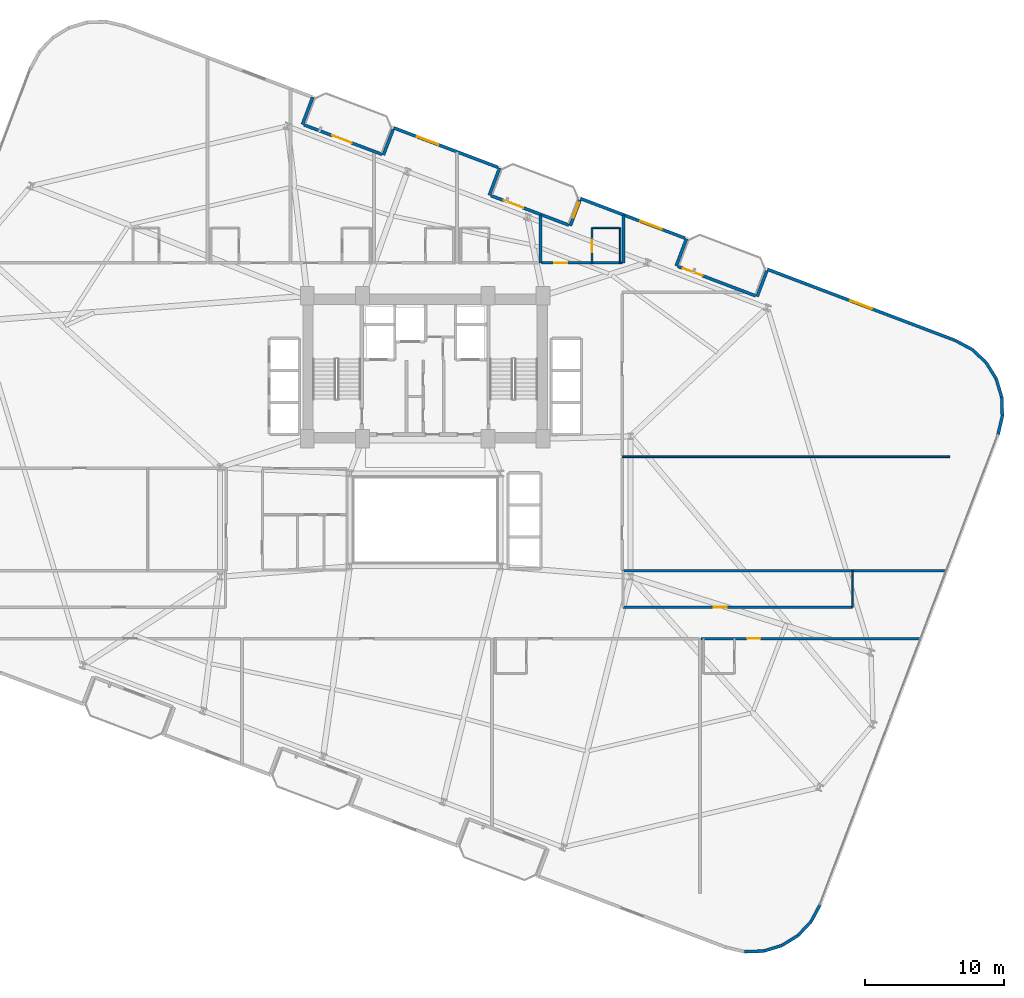
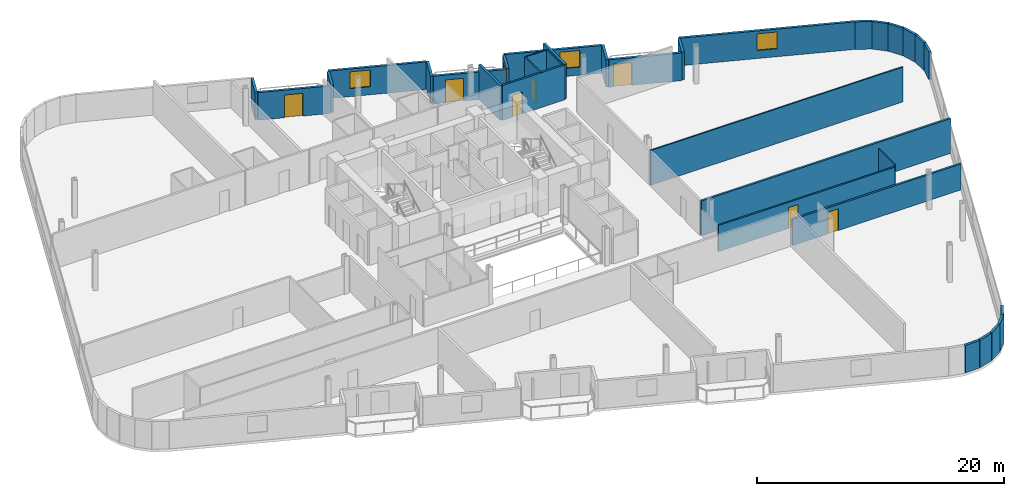
# One storey, part 20 of 24: 34 walls, 7 doors, 4 windows, 11 openings.
"""IFC4 building model written with IfcOpenShell, lengths in metres."""

from ifc_helpers import new_model, si_unit, direction, frame, frame_2d, origin, place, context, subcontext, project, spatial, rectangle, extrude, material, layer, layer_set, type_object, element, fill, save


model = new_model("IFC4")

# Units and contexts
model_context = context("Model", 3, precision=1e-05, world=origin(), true_north=direction((0.0, 1.0)))
body_context = subcontext(model_context, "Body", "Model", "MODEL_VIEW")
ifc_project = project(units=[si_unit("LENGTHUNIT", "METRE"), si_unit("AREAUNIT", "SQUARE_METRE"), si_unit("VOLUMEUNIT", "CUBIC_METRE"), si_unit("PLANEANGLEUNIT", "RADIAN"), si_unit("MASSUNIT", "GRAM", prefix="KILO")], contexts=[model_context])

# Site, building, storey
site_placement = place(None, origin())
site = spatial("IfcSite", under=ifc_project, at=site_placement, CompositionType="ELEMENT")
building_placement = place(site_placement, origin())
building = spatial("IfcBuilding", under=site, at=building_placement, Name="Varnelok Gate Tower", CompositionType="ELEMENT")
storey_placement = place(building_placement, frame((0.0, 0.0, 94.699951171875)))
storey = spatial("IfcBuildingStorey", under=building, at=storey_placement, Name="L23", CompositionType="ELEMENT", Elevation=94.699951171875)

# Wall, opening, door
ifc_material_1 = material(Name="Concrete C45/55", Category="concrete")
ifc_layer_1 = layer(ifc_material_1, 0.219970703125)
ifc_layer_set_1 = layer_set([ifc_layer_1], Name="Concrete C45/55")
wall_type_1 = type_object("IfcWallType", Name="EW-BALC-220", PredefinedType="SOLIDWALL", material=ifc_layer_set_1)
wall_1_placement = place(storey_placement, frame((30.465087890625, 51.37158203125, 0.0), z_axis=(0.0, 0.0, 1.0), x_axis=(0.935227640088, -0.354046976001, 0.0)))
wall_1 = element("IfcWall", 1, at=wall_1_placement, inside=storey, type_object=wall_type_1, Name="L23 North Terrace Envelope Wall 4", PredefinedType="SOLIDWALL", context=body_context, shape_type="SweptSolid", body=[
    extrude(rectangle(XDim=6.0, YDim=0.219970703125, at=frame_2d((3.0, 0.0))), origin(), (0.0, 0.0, 1.0), 2.72998046875),
])
opening_1_placement = place(wall_1_placement, frame((2.176025390625, 0.0, 0.0)))
opening_1 = element("IfcOpeningElement", 2, at=opening_1_placement, cuts=wall_1, Name="Opening BD-1", PredefinedType="OPENING", context=body_context, shape_type="SweptSolid", body=[
    extrude(rectangle(XDim=1.5, YDim=2.25, at=frame_2d((0.75, 1.125))), frame((0.0, 0.119873046875, 0.0), z_axis=(0.0, -1.0, 0.0), x_axis=(1.0, 0.0, 0.0)), (0.0, 0.0, 1.0), 0.239990234375),
])
ifc_material_2 = material(Name="Anodized Aluminum Alloy 6063-T6", Category="aluminium")
door_type_1 = type_object("IfcDoorType", Name="DR-EXT-BALC1500", OperationType="NOTDEFINED", PredefinedType="DOOR", material=ifc_material_2)
door_1_placement = place(opening_1_placement, origin())
door_1 = element("IfcDoor", 3, at=door_1_placement, inside=storey, type_object=door_type_1, Name="L23 North Balcony Glazed Door 4", OperationType="SINGLE_SWING_LEFT", OverallHeight=2.25, OverallWidth=1.5, PredefinedType="DOOR", context=body_context, shape_type="SweptSolid", body=[
    extrude(rectangle(XDim=1.5, YDim=2.25, at=frame_2d((0.75, 1.125))), frame((0.0, 0.02490234375, 0.0), z_axis=(0.0, -1.0, 0.0), x_axis=(1.0, 0.0, 0.0)), (0.0, 0.0, 1.0), 0.050048828125),
])
fill(opening_1, door_1)

wall_2_placement = place(storey_placement, frame((43.932373046875, 46.273193359375, 0.0), z_axis=(0.0, 0.0, 1.0), x_axis=(0.93521416643, -0.354082565101, 0.0)))
wall_2 = element("IfcWall", 4, at=wall_2_placement, inside=storey, type_object=wall_type_1, Name="L23 North Terrace Envelope Wall 5", PredefinedType="SOLIDWALL", context=body_context, shape_type="SweptSolid", body=[
    extrude(rectangle(XDim=6.0, YDim=0.219970703125, at=frame_2d((3.0, 0.0))), origin(), (0.0, 0.0, 1.0), 2.72998046875),
])
opening_2_placement = place(wall_2_placement, frame((0.991943359375, 0.0, 0.0)))
opening_2 = element("IfcOpeningElement", 5, at=opening_2_placement, cuts=wall_2, Name="Opening BD-1", PredefinedType="OPENING", context=body_context, shape_type="SweptSolid", body=[
    extrude(rectangle(XDim=1.5, YDim=2.25, at=frame_2d((0.75, 1.125))), frame((0.0, 0.119873046875, 0.0), z_axis=(0.0, -1.0, 0.0), x_axis=(1.0, 0.0, 0.0)), (0.0, 0.0, 1.0), 0.239990234375),
])
door_2_placement = place(opening_2_placement, origin())
door_2 = element("IfcDoor", 6, at=door_2_placement, inside=storey, type_object=door_type_1, Name="L23 North Balcony Glazed Door 5", OperationType="SINGLE_SWING_RIGHT", OverallHeight=2.25, OverallWidth=1.5, PredefinedType="DOOR", context=body_context, shape_type="SweptSolid", body=[
    extrude(rectangle(XDim=1.5, YDim=2.25, at=frame_2d((0.75, 1.125))), frame((0.0, 0.02490234375, 0.0), z_axis=(0.0, -1.0, 0.0), x_axis=(1.0, 0.0, 0.0)), (0.0, 0.0, 1.0), 0.050048828125),
])
fill(opening_2, door_2)

wall_3_placement = place(storey_placement, frame((57.3994140625, 41.174560546875, 0.0), z_axis=(0.0, 0.0, 1.0), x_axis=(0.935227640088, -0.354046976001, 0.0)))
wall_3 = element("IfcWall", 7, at=wall_3_placement, inside=storey, type_object=wall_type_1, Name="L23 North Terrace Envelope Wall 6", PredefinedType="SOLIDWALL", context=body_context, shape_type="SweptSolid", body=[
    extrude(rectangle(XDim=6.0, YDim=0.219970703125, at=frame_2d((3.0, 0.0))), origin(), (0.0, 0.0, 1.0), 2.72998046875),
])
opening_3_placement = place(wall_3_placement, frame((0.39990234375, 0.0, 0.0)))
opening_3 = element("IfcOpeningElement", 8, at=opening_3_placement, cuts=wall_3, Name="Opening BD-1", PredefinedType="OPENING", context=body_context, shape_type="SweptSolid", body=[
    extrude(rectangle(XDim=1.5, YDim=2.25, at=frame_2d((0.75, 1.125))), frame((0.0, 0.119873046875, 0.0), z_axis=(0.0, -1.0, 0.0), x_axis=(1.0, 0.0, 0.0)), (0.0, 0.0, 1.0), 0.239990234375),
])
door_3_placement = place(opening_3_placement, origin())
door_3 = element("IfcDoor", 9, at=door_3_placement, inside=storey, type_object=door_type_1, Name="L23 North Balcony Glazed Door 6", OperationType="SINGLE_SWING_LEFT", OverallHeight=2.25, OverallWidth=1.5, PredefinedType="DOOR", context=body_context, shape_type="SweptSolid", body=[
    extrude(rectangle(XDim=1.5, YDim=2.25, at=frame_2d((0.75, 1.125))), frame((0.0, 0.02490234375, 0.0), z_axis=(0.0, -1.0, 0.0), x_axis=(1.0, 0.0, 0.0)), (0.0, 0.0, 1.0), 0.050048828125),
])
fill(opening_3, door_3)

# Walls
wall_4_placement = place(storey_placement, frame((62.2158203125, -8.209228515625, 0.0), z_axis=(0.0, 0.0, 1.0), x_axis=(0.999523971993, 0.03085173271, 0.0)))
element("IfcWall", 10, at=wall_4_placement, inside=storey, type_object=wall_type_1, Name="L23 Perimeter Facade Closure Wall 18", PredefinedType="SOLIDWALL", context=body_context, shape_type="SweptSolid", body=[
    extrude(rectangle(XDim=1.353271484375, YDim=0.219970703125, at=frame_2d((0.6767578125, 0.0))), origin(), (0.0, 0.0, 1.0), 2.72998046875),
])
for number, where, z_axis, x_axis, name in (
    (11, (63.59228515625, -8.160400390625, 0.0), (0.0, 0.0, 1.0), (0.957532798303, 0.28832436625, 0.0), "L23 Perimeter Facade Closure Wall 19"),
    (12, (64.9091796875, -7.757080078125, 0.0), (0.0, 0.0, 1.0), (0.850180541217, 0.526491260456, 0.0), "L23 Perimeter Facade Closure Wall 20"),
):
    element("IfcWall", number, at=place(storey_placement, frame(where, z_axis=z_axis, x_axis=x_axis)), inside=storey, type_object=wall_type_1, Name=name, PredefinedType="SOLIDWALL", context=body_context, shape_type="SweptSolid", body=[
        extrude(rectangle(XDim=1.35302734375, YDim=0.219970703125, at=frame_2d((0.676513671875, 0.0))), origin(), (0.0, 0.0, 1.0), 2.72998046875),
    ])
wall_5_placement = place(storey_placement, frame((66.07666015625, -7.026611328125, 0.0), z_axis=(0.0, 0.0, 1.0), x_axis=(0.685032599484, 0.7285124142, 0.0)))
element("IfcWall", 13, at=wall_5_placement, inside=storey, type_object=wall_type_1, Name="L23 Perimeter Facade Closure Wall 21", PredefinedType="SOLIDWALL", context=body_context, shape_type="SweptSolid", body=[
    extrude(rectangle(XDim=1.353271484375, YDim=0.219970703125, at=frame_2d((0.6767578125, 0.0))), origin(), (0.0, 0.0, 1.0), 2.72998046875),
])
wall_6_placement = place(storey_placement, frame((67.015380859375, -6.018798828125, 0.0), z_axis=(0.0, 0.0, 1.0), x_axis=(0.473077364598, 0.881020889142, 0.0)))
element("IfcWall", 14, at=wall_6_placement, inside=storey, type_object=wall_type_1, Name="L23 Perimeter Facade Closure Wall 22", PredefinedType="SOLIDWALL", context=body_context, shape_type="SweptSolid", body=[
    extrude(rectangle(XDim=1.35302734375, YDim=0.219970703125, at=frame_2d((0.676513671875, 0.0))), origin(), (0.0, 0.0, 1.0), 2.72998046875),
])
wall_7_placement = place(storey_placement, frame((80.47265625, 29.0283203125, 0.0), z_axis=(0.0, 0.0, 1.0), x_axis=(0.228881345311, 0.973454328548, 0.0)))
element("IfcWall", 15, at=wall_7_placement, inside=storey, type_object=wall_type_1, Name="L23 Perimeter Facade Closure Wall 23", PredefinedType="SOLIDWALL", context=body_context, shape_type="SweptSolid", body=[
    extrude(rectangle(XDim=1.378173828125, YDim=0.219970703125, at=frame_2d((0.68896484375, 0.0))), origin(), (0.0, 0.0, 1.0), 2.72998046875),
])
for number, where, z_axis, x_axis, name in (
    (16, (80.787353515625, 30.39501953125, 0.0), (0.0, 0.0, 1.0), (-0.030857297317, 0.999523800218, 0.0), "L23 Perimeter Facade Closure Wall 24"),
    (17, (80.738525390625, 31.771240234375, 0.0), (0.0, 0.0, 1.0), (-0.28832436625, 0.957532798303, 0.0), "L23 Perimeter Facade Closure Wall 25"),
    (18, (80.335205078125, 33.088134765625, 0.0), (0.0, 0.0, 1.0), (-0.526491260456, 0.850180541217, 0.0), "L23 Perimeter Facade Closure Wall 26"),
    (19, (79.6044921875, 34.255615234375, 0.0), (0.0, 0.0, 1.0), (-0.72842773461, 0.685122642634, 0.0), "L23 Perimeter Facade Closure Wall 27"),
):
    element("IfcWall", number, at=place(storey_placement, frame(where, z_axis=z_axis, x_axis=x_axis)), inside=storey, type_object=wall_type_1, Name=name, PredefinedType="SOLIDWALL", context=body_context, shape_type="SweptSolid", body=[
        extrude(rectangle(XDim=1.35302734375, YDim=0.219970703125, at=frame_2d((0.676513671875, 0.0))), origin(), (0.0, 0.0, 1.0), 2.72998046875),
    ])
wall_8_placement = place(storey_placement, frame((78.5966796875, 35.1943359375, 0.0), z_axis=(0.0, 0.0, 1.0), x_axis=(-0.880948732004, 0.473211719614, 0.0)))
element("IfcWall", 20, at=wall_8_placement, inside=storey, type_object=wall_type_1, Name="L23 Perimeter Facade Closure Wall 28", PredefinedType="SOLIDWALL", context=body_context, shape_type="SweptSolid", body=[
    extrude(rectangle(XDim=1.361083984375, YDim=0.219970703125, at=frame_2d((0.6806640625, 0.0))), origin(), (0.0, 0.0, 1.0), 2.72998046875),
])

# Wall, opening, window
wall_9_placement = place(storey_placement, frame((77.37451171875, 35.84716796875, 0.0), z_axis=(0.0, 0.0, 1.0), x_axis=(-0.935222448475, 0.354060689526, 0.0)))
wall_9 = element("IfcWall", 21, at=wall_9_placement, inside=storey, type_object=wall_type_1, Name="L23 Perimeter Facade Closure Wall 29", PredefinedType="SOLIDWALL", context=body_context, shape_type="SweptSolid", body=[
    extrude(rectangle(XDim=14.447265625, YDim=0.219970703125, at=frame_2d((7.2236328125, 0.0))), origin(), (0.0, 0.0, 1.0), 2.72998046875),
])
opening_4_placement = place(wall_9_placement, frame((6.398681640625, 0.0, 0.800048828125)))
opening_4 = element("IfcOpeningElement", 22, at=opening_4_placement, cuts=wall_9, Name="Opening WN3", PredefinedType="OPENING", context=body_context, shape_type="SweptSolid", body=[
    extrude(rectangle(XDim=1.64990234375, YDim=1.64990234375, at=frame_2d((0.824951171875, 0.824951171875))), frame((0.0, 0.119873046875, 0.0), z_axis=(0.0, -1.0, 0.0), x_axis=(1.0, 0.0, 0.0)), (0.0, 0.0, 1.0), 0.239990234375),
])
ifc_material_3 = material(Name="Low-E Laminated Double Glazing IGU", Category="glass")
window_type_1 = type_object("IfcWindowType", Name="WN-HTL-1650", PartitioningType="SINGLE_PANEL", PredefinedType="WINDOW", material=ifc_material_3)
window_1_placement = place(opening_4_placement, origin())
window_1 = element("IfcWindow", 23, at=window_1_placement, inside=storey, type_object=window_type_1, Name="L23 Perimeter Vision Window 29", OverallHeight=1.64990234375, OverallWidth=1.64990234375, PartitioningType="SINGLE_PANEL", PredefinedType="WINDOW", context=body_context, shape_type="SweptSolid", body=[
    extrude(rectangle(XDim=1.64990234375, YDim=1.64990234375, at=frame_2d((0.824951171875, 0.824951171875))), frame((0.0, 0.030029296875, 0.0), z_axis=(0.0, -1.0, 0.0), x_axis=(1.0, 0.0, 0.0)), (0.0, 0.0, 1.0), 0.06005859375),
])
fill(opening_4, window_1)

# Walls
wall_10_placement = place(storey_placement, frame((63.81884765625, 40.845458984375, 0.0), z_axis=(0.0, 0.0, 1.0), x_axis=(-0.354128791944, -0.935196663123, 0.0)))
element("IfcWall", 24, at=wall_10_placement, inside=storey, type_object=wall_type_1, Name="L23 Perimeter Facade Closure Wall 30", PredefinedType="SOLIDWALL", context=body_context, shape_type="SweptSolid", body=[
    extrude(rectangle(XDim=1.97509765625, YDim=0.219970703125, at=frame_2d((0.987548828125, 0.0))), origin(), (0.0, 0.0, 1.0), 2.72998046875),
])
wall_11_placement = place(storey_placement, frame((57.28369140625, 41.207763671875, 0.0), z_axis=(0.0, 0.0, 1.0), x_axis=(0.354128469405, 0.935196785258, 0.0)))
element("IfcWall", 25, at=wall_11_placement, inside=storey, type_object=wall_type_1, Name="L23 Perimeter Facade Closure Wall 31", PredefinedType="SOLIDWALL", context=body_context, shape_type="SweptSolid", body=[
    extrude(rectangle(XDim=2.099853515625, YDim=0.219970703125, at=frame_2d((1.0498046875, 0.0))), origin(), (0.0, 0.0, 1.0), 2.72998046875),
])

# Wall, opening, window
wall_12_placement = place(storey_placement, frame((57.910400390625, 43.2158203125, 0.0), z_axis=(0.0, 0.0, 1.0), x_axis=(-0.935220736163, 0.354065212427, 0.0)))
wall_12 = element("IfcWall", 26, at=wall_12_placement, inside=storey, type_object=wall_type_1, Name="L23 Perimeter Facade Closure Wall 32", PredefinedType="SOLIDWALL", context=body_context, shape_type="SweptSolid", body=[
    extrude(rectangle(XDim=8.03515625, YDim=0.219970703125, at=frame_2d((4.017578125, 0.0))), origin(), (0.0, 0.0, 1.0), 2.72998046875),
])
opening_5_placement = place(wall_12_placement, frame((1.787841796875, 0.0, 0.800048828125)))
opening_5 = element("IfcOpeningElement", 27, at=opening_5_placement, cuts=wall_12, Name="Opening WN3", PredefinedType="OPENING", context=body_context, shape_type="SweptSolid", body=[
    extrude(rectangle(XDim=1.64990234375, YDim=1.64990234375, at=frame_2d((0.824951171875, 0.824951171875))), frame((0.0, 0.119873046875, 0.0), z_axis=(0.0, -1.0, 0.0), x_axis=(1.0, 0.0, 0.0)), (0.0, 0.0, 1.0), 0.239990234375),
])
window_2_placement = place(opening_5_placement, origin())
window_2 = element("IfcWindow", 28, at=window_2_placement, inside=storey, type_object=window_type_1, Name="L23 Perimeter Vision Window 32", OverallHeight=1.64990234375, OverallWidth=1.64990234375, PartitioningType="SINGLE_PANEL", PredefinedType="WINDOW", context=body_context, shape_type="SweptSolid", body=[
    extrude(rectangle(XDim=1.64990234375, YDim=1.64990234375, at=frame_2d((0.824951171875, 0.824951171875))), frame((0.0, 0.030029296875, 0.0), z_axis=(0.0, -1.0, 0.0), x_axis=(1.0, 0.0, 0.0)), (0.0, 0.0, 1.0), 0.06005859375),
])
fill(opening_5, window_2)

wall_13_placement = place(storey_placement, frame((50.3515625, 45.94384765625, 0.0), z_axis=(0.0, 0.0, 1.0), x_axis=(-0.354061611705, -0.935222099352, 0.0)))
wall_13 = element("IfcWall", 29, at=wall_13_placement, inside=storey, type_object=wall_type_1, Name="L23 Perimeter Facade Closure Wall 33", PredefinedType="SOLIDWALL", context=body_context, shape_type="SweptSolid", body=[
    extrude(rectangle(XDim=1.974853515625, YDim=0.219970703125, at=frame_2d((0.9873046875, 0.0))), origin(), (0.0, 0.0, 1.0), 2.72998046875),
])
opening_6_placement = place(wall_13_placement, frame((0.199951171875, 0.0, 0.800048828125)))
opening_6 = element("IfcOpeningElement", 30, at=opening_6_placement, cuts=wall_13, Name="Opening WN8", PredefinedType="OPENING", context=body_context, shape_type="SweptSolid", body=[
    extrude(rectangle(XDim=1.14990234375, YDim=1.39990234375, at=frame_2d((0.574951171875, 0.699951171875))), frame((0.0, 0.119873046875, 0.0), z_axis=(0.0, -1.0, 0.0), x_axis=(1.0, 0.0, 0.0)), (0.0, 0.0, 1.0), 0.239990234375),
])
window_type_2 = type_object("IfcWindowType", Name="WN-BED-1150", PartitioningType="SINGLE_PANEL", PredefinedType="WINDOW", material=ifc_material_3)
window_3_placement = place(opening_6_placement, origin())
window_3 = element("IfcWindow", 31, at=window_3_placement, inside=storey, type_object=window_type_2, Name="L23 Bedroom Vision Window 9", OverallHeight=1.39990234375, OverallWidth=1.14990234375, PartitioningType="SINGLE_PANEL", PredefinedType="WINDOW", context=body_context, shape_type="SweptSolid", body=[
    extrude(rectangle(XDim=1.14990234375, YDim=1.39990234375, at=frame_2d((0.574951171875, 0.699951171875))), frame((0.0, 0.030029296875, 0.0), z_axis=(0.0, -1.0, 0.0), x_axis=(1.0, 0.0, 0.0)), (0.0, 0.0, 1.0), 0.06005859375),
])
fill(opening_6, window_3)

# Wall
wall_14_placement = place(storey_placement, frame((43.816650390625, 46.30615234375, 0.0), z_axis=(0.0, 0.0, 1.0), x_axis=(0.353988291547, 0.935249854022, 0.0)))
element("IfcWall", 32, at=wall_14_placement, inside=storey, type_object=wall_type_1, Name="L23 Perimeter Facade Closure Wall 34", PredefinedType="SOLIDWALL", context=body_context, shape_type="SweptSolid", body=[
    extrude(rectangle(XDim=2.10009765625, YDim=0.219970703125, at=frame_2d((1.050048828125, 0.0))), origin(), (0.0, 0.0, 1.0), 2.72998046875),
])

# Wall, opening, window
wall_15_placement = place(storey_placement, frame((44.443115234375, 48.314453125, 0.0), z_axis=(0.0, 0.0, 1.0), x_axis=(-0.935226988293, 0.354048697735, 0.0)))
wall_15 = element("IfcWall", 33, at=wall_15_placement, inside=storey, type_object=wall_type_1, Name="L23 Perimeter Facade Closure Wall 35", PredefinedType="SOLIDWALL", context=body_context, shape_type="SweptSolid", body=[
    extrude(rectangle(XDim=8.034912109375, YDim=0.219970703125, at=frame_2d((4.017578125, 0.0))), origin(), (0.0, 0.0, 1.0), 2.72998046875),
])
opening_7_placement = place(wall_15_placement, frame((4.59716796875, 0.0, 0.800048828125)))
opening_7 = element("IfcOpeningElement", 34, at=opening_7_placement, cuts=wall_15, Name="Opening WN3", PredefinedType="OPENING", context=body_context, shape_type="SweptSolid", body=[
    extrude(rectangle(XDim=1.64990234375, YDim=1.64990234375, at=frame_2d((0.824951171875, 0.824951171875))), frame((0.0, 0.119873046875, 0.0), z_axis=(0.0, -1.0, 0.0), x_axis=(1.0, 0.0, 0.0)), (0.0, 0.0, 1.0), 0.239990234375),
])
window_4_placement = place(opening_7_placement, origin())
window_4 = element("IfcWindow", 35, at=window_4_placement, inside=storey, type_object=window_type_1, Name="L23 Perimeter Vision Window 35", OverallHeight=1.64990234375, OverallWidth=1.64990234375, PartitioningType="SINGLE_PANEL", PredefinedType="WINDOW", context=body_context, shape_type="SweptSolid", body=[
    extrude(rectangle(XDim=1.64990234375, YDim=1.64990234375, at=frame_2d((0.824951171875, 0.824951171875))), frame((0.0, 0.030029296875, 0.0), z_axis=(0.0, -1.0, 0.0), x_axis=(1.0, 0.0, 0.0)), (0.0, 0.0, 1.0), 0.06005859375),
])
fill(opening_7, window_4)

# Walls
wall_16_placement = place(storey_placement, frame((36.884521484375, 51.04248046875, 0.0), z_axis=(0.0, 0.0, 1.0), x_axis=(-0.354128791944, -0.935196663123, 0.0)))
element("IfcWall", 36, at=wall_16_placement, inside=storey, type_object=wall_type_1, Name="L23 Perimeter Facade Closure Wall 36", PredefinedType="SOLIDWALL", context=body_context, shape_type="SweptSolid", body=[
    extrude(rectangle(XDim=1.97509765625, YDim=0.219970703125, at=frame_2d((0.987548828125, 0.0))), origin(), (0.0, 0.0, 1.0), 2.72998046875),
])
wall_17_placement = place(storey_placement, frame((30.349365234375, 51.40478515625, 0.0), z_axis=(0.0, 0.0, 1.0), x_axis=(0.354128469405, 0.935196785258, 0.0)))
element("IfcWall", 37, at=wall_17_placement, inside=storey, type_object=wall_type_1, Name="L23 Perimeter Facade Closure Wall 37", PredefinedType="SOLIDWALL", context=body_context, shape_type="SweptSolid", body=[
    extrude(rectangle(XDim=2.099853515625, YDim=0.219970703125, at=frame_2d((1.0498046875, 0.0))), origin(), (0.0, 0.0, 1.0), 2.72998046875),
])

# Wall, opening, door
ifc_material_4 = material(Name="Gypsum Plasterboard Acoustic Partition", Category="gypsum")
ifc_layer_2 = layer(ifc_material_4, 0.179931640625)
ifc_layer_set_2 = layer_set([ifc_layer_2], Name="Gypsum Plasterboard Acoustic Partition")
wall_type_2 = type_object("IfcWallType", Name="PW-CORR-180", PredefinedType="PARTITIONING", material=ifc_layer_set_2)
wall_18_placement = place(storey_placement, frame((59.080078125, 14.35009765625, 0.0), z_axis=(0.0, 0.0, 1.0), x_axis=(1.0, 0.0, 0.0)))
wall_18 = element("IfcWall", 38, at=wall_18_placement, inside=storey, type_object=wall_type_2, Name="Interior Partition", PredefinedType="PARTITIONING", context=body_context, shape_type="SweptSolid", body=[
    extrude(rectangle(XDim=15.775146484375, YDim=0.179931640625, at=frame_2d((7.8876953125, 0.0))), origin(), (0.0, 0.0, 1.0), 2.580078125),
])
opening_8_placement = place(wall_18_placement, frame((3.324462890625, 0.0, 0.0)))
opening_8 = element("IfcOpeningElement", 39, at=opening_8_placement, cuts=wall_18, Name="Opening D-HT", PredefinedType="OPENING", context=body_context, shape_type="SweptSolid", body=[
    extrude(rectangle(XDim=0.949951171875, YDim=2.14990234375, at=frame_2d((0.47509765625, 1.074951171875))), frame((0.0, 0.099853515625, 0.0), z_axis=(0.0, -1.0, 0.0), x_axis=(1.0, 0.0, 0.0)), (0.0, 0.0, 1.0), 0.199951171875),
])
ifc_material_5 = material(Name="Engineered Hardwood Timber", Category="wood")
door_type_2 = type_object("IfcDoorType", Name="DR-HTL-950", OperationType="NOTDEFINED", PredefinedType="DOOR", material=ifc_material_5)
door_4_placement = place(opening_8_placement, origin())
door_4 = element("IfcDoor", 40, at=door_4_placement, inside=storey, type_object=door_type_2, Name="L23 Guest Room 04 Entrance Door", OperationType="SINGLE_SWING_LEFT", OverallHeight=2.14990234375, OverallWidth=0.949951171875, PredefinedType="DOOR", context=body_context, shape_type="SweptSolid", body=[
    extrude(rectangle(XDim=0.949951171875, YDim=2.14990234375, at=frame_2d((0.47509765625, 1.074951171875))), frame((0.0, 0.02490234375, 0.0), z_axis=(0.0, -1.0, 0.0), x_axis=(1.0, 0.0, 0.0)), (0.0, 0.0, 1.0), 0.050048828125),
])
fill(opening_8, door_4)

wall_19_placement = place(storey_placement, frame((47.580078125, 41.429931640625, 0.0), z_axis=(0.0, 0.0, 1.0), x_axis=(1.0, 0.0, 0.0)))
wall_19 = element("IfcWall", 41, at=wall_19_placement, inside=storey, type_object=wall_type_2, Name="Interior Partition", PredefinedType="PARTITIONING", context=body_context, shape_type="SweptSolid", body=[
    extrude(rectangle(XDim=5.83984375, YDim=0.179931640625, at=frame_2d((2.919921875, 0.0))), origin(), (0.0, 0.0, 1.0), 3.449951171875),
])
opening_9_placement = place(wall_19_placement, frame((0.917236328125, 0.0, 0.0)))
opening_9 = element("IfcOpeningElement", 42, at=opening_9_placement, cuts=wall_19, Name="Opening D-HT", PredefinedType="OPENING", context=body_context, shape_type="SweptSolid", body=[
    extrude(rectangle(XDim=0.949951171875, YDim=2.14990234375, at=frame_2d((0.47509765625, 1.074951171875))), frame((0.0, 0.099853515625, 0.0), z_axis=(0.0, -1.0, 0.0), x_axis=(1.0, 0.0, 0.0)), (0.0, 0.0, 1.0), 0.199951171875),
])
door_5_placement = place(opening_9_placement, origin())
door_5 = element("IfcDoor", 43, at=door_5_placement, inside=storey, type_object=door_type_2, Name="L23 Guest Room 10 Entrance Door", OperationType="SINGLE_SWING_LEFT", OverallHeight=2.14990234375, OverallWidth=0.949951171875, PredefinedType="DOOR", context=body_context, shape_type="SweptSolid", body=[
    extrude(rectangle(XDim=0.949951171875, YDim=2.14990234375, at=frame_2d((0.47509765625, 1.074951171875))), frame((0.0, 0.02490234375, 0.0), z_axis=(0.0, -1.0, 0.0), x_axis=(1.0, 0.0, 0.0)), (0.0, 0.0, 1.0), 0.050048828125),
])
fill(opening_9, door_5)

# Walls
wall_20_placement = place(storey_placement, frame((53.389892578125, 19.239990234375, 0.0), z_axis=(0.0, 0.0, 1.0), x_axis=(1.0, 0.0, 0.0)))
element("IfcWall", 44, at=wall_20_placement, inside=storey, type_object=wall_type_2, Name="Interior Partition", PredefinedType="PARTITIONING", context=body_context, shape_type="SweptSolid", body=[
    extrude(rectangle(XDim=23.316650390625, YDim=0.179931640625, at=frame_2d((11.658203125, 0.0))), origin(), (0.0, 0.0, 1.0), 3.449951171875),
])
ifc_layer_3 = layer(ifc_material_4, 0.114990234375)
ifc_layer_set_3 = layer_set([ifc_layer_3], Name="Gypsum Plasterboard Acoustic Partition")
wall_type_3 = type_object("IfcWallType", Name="PW-ENS-125", PredefinedType="PARTITIONING", material=ifc_layer_set_3)
wall_21_placement = place(storey_placement, frame((51.256103515625, 43.949951171875, 0.0), z_axis=(0.0, 0.0, 1.0), x_axis=(1.0, 0.0, 0.0)))
element("IfcWall", 45, at=wall_21_placement, inside=storey, type_object=wall_type_3, Name="Interior Partition", PredefinedType="PARTITIONING", context=body_context, shape_type="SweptSolid", body=[
    extrude(rectangle(XDim=1.94384765625, YDim=0.114990234375, at=frame_2d((0.971923828125, 0.0))), origin(), (0.0, 0.0, 1.0), 3.449951171875),
])

# Wall, opening, door
wall_22_placement = place(storey_placement, frame((51.216064453125, 41.429931640625, 0.0), z_axis=(0.0, 0.0, 1.0), x_axis=(0.0, 1.0, 0.0)))
wall_22 = element("IfcWall", 46, at=wall_22_placement, inside=storey, type_object=wall_type_3, Name="Interior Partition", PredefinedType="PARTITIONING", context=body_context, shape_type="SweptSolid", body=[
    extrude(rectangle(XDim=2.52001953125, YDim=0.114990234375, at=frame_2d((1.260009765625, 0.0))), origin(), (0.0, 0.0, 1.0), 3.449951171875),
])
opening_10_placement = place(wall_22_placement, frame((0.760009765625, 0.0, 0.0)))
opening_10 = element("IfcOpeningElement", 47, at=opening_10_placement, cuts=wall_22, Name="Opening D-WC", PredefinedType="OPENING", context=body_context, shape_type="SweptSolid", body=[
    extrude(rectangle(XDim=0.89990234375, YDim=2.050048828125, at=frame_2d((0.449951171875, 1.02490234375))), frame((0.0, 0.0673828125, 0.0), z_axis=(0.0, -1.0, 0.0), x_axis=(1.0, 0.0, 0.0)), (0.0, 0.0, 1.0), 0.135009765625),
])
door_type_3 = type_object("IfcDoorType", Name="DR-BATH-900", OperationType="NOTDEFINED", PredefinedType="DOOR", material=ifc_material_5)
door_6_placement = place(opening_10_placement, origin())
door_6 = element("IfcDoor", 48, at=door_6_placement, inside=storey, type_object=door_type_3, Name="L23 North En-Suite 10 Door", OperationType="SINGLE_SWING_LEFT", OverallHeight=2.050048828125, OverallWidth=0.89990234375, PredefinedType="DOOR", context=body_context, shape_type="SweptSolid", body=[
    extrude(rectangle(XDim=0.89990234375, YDim=2.050048828125, at=frame_2d((0.449951171875, 1.02490234375))), frame((0.0, 0.02490234375, 0.0), z_axis=(0.0, -1.0, 0.0), x_axis=(1.0, 0.0, 0.0)), (0.0, 0.0, 1.0), 0.050048828125),
])
fill(opening_10, door_6)

# Walls
wall_23_placement = place(storey_placement, frame((53.239990234375, 41.429931640625, 0.0), z_axis=(0.0, 0.0, 1.0), x_axis=(0.0, 1.0, 0.0)))
element("IfcWall", 49, at=wall_23_placement, inside=storey, type_object=wall_type_3, Name="Interior Partition", PredefinedType="PARTITIONING", context=body_context, shape_type="SweptSolid", body=[
    extrude(rectangle(XDim=2.52001953125, YDim=0.114990234375, at=frame_2d((1.260009765625, 0.0))), origin(), (0.0, 0.0, 1.0), 3.449951171875),
])
ifc_layer_4 = layer(ifc_material_4, 0.125)
ifc_layer_set_4 = layer_set([ifc_layer_4], Name="Gypsum Plasterboard Acoustic Partition")
wall_type_4 = type_object("IfcWallType", Name="PW-PART-125", PredefinedType="PARTITIONING", material=ifc_layer_set_4)
wall_24_placement = place(storey_placement, frame((70.0, 16.610107421875, 0.0), z_axis=(0.0, 0.0, 1.0), x_axis=(0.0, 1.0, 0.0)))
element("IfcWall", 50, at=wall_24_placement, inside=storey, type_object=wall_type_4, Name="Interior Partition", PredefinedType="PARTITIONING", context=body_context, shape_type="SweptSolid", body=[
    extrude(rectangle(XDim=2.6298828125, YDim=0.125, at=frame_2d((1.31494140625, 0.0))), origin(), (0.0, 0.0, 1.0), 2.823974609375),
])
wall_25_placement = place(storey_placement, frame((53.389892578125, 27.449951171875, 0.0), z_axis=(0.0, 0.0, 1.0), x_axis=(1.0, 0.0, 0.0)))
element("IfcWall", 51, at=wall_25_placement, inside=storey, type_object=wall_type_4, Name="Interior Partition", PredefinedType="PARTITIONING", context=body_context, shape_type="SweptSolid", body=[
    extrude(rectangle(XDim=23.610107421875, YDim=0.125, at=frame_2d((11.80517578125, 0.0))), origin(), (0.0, 0.0, 1.0), 3.449951171875),
])

# Wall, opening, door
ifc_layer_5 = layer(ifc_material_4, 0.14990234375)
ifc_layer_set_5 = layer_set([ifc_layer_5], Name="Gypsum Plasterboard Acoustic Partition")
wall_type_5 = type_object("IfcWallType", Name="PW-PART-150", PredefinedType="PARTITIONING", material=ifc_layer_set_5)
wall_26_placement = place(storey_placement, frame((53.449951171875, 16.610107421875, 0.0), z_axis=(0.0, 0.0, 1.0), x_axis=(1.0, 0.0, 0.0)))
wall_26 = element("IfcWall", 52, at=wall_26_placement, inside=storey, type_object=wall_type_5, Name="Interior Partition", PredefinedType="PARTITIONING", context=body_context, shape_type="SweptSolid", body=[
    extrude(rectangle(XDim=16.550048828125, YDim=0.14990234375, at=frame_2d((8.27490234375, 0.0))), origin(), (0.0, 0.0, 1.0), 2.580078125),
])
opening_11_placement = place(wall_26_placement, frame((6.547607421875, 0.0, 0.0)))
opening_11 = element("IfcOpeningElement", 53, at=opening_11_placement, cuts=wall_26, Name="Opening D-I3", PredefinedType="OPENING", context=body_context, shape_type="SweptSolid", body=[
    extrude(rectangle(XDim=0.919921875, YDim=2.050048828125, at=frame_2d((0.4599609375, 1.02490234375))), frame((0.0, 0.0849609375, 0.0), z_axis=(0.0, -1.0, 0.0), x_axis=(1.0, 0.0, 0.0)), (0.0, 0.0, 1.0), 0.169921875),
])
door_type_4 = type_object("IfcDoorType", Name="DR-INT-920", OperationType="NOTDEFINED", PredefinedType="DOOR", material=ifc_material_5)
door_7_placement = place(opening_11_placement, origin())
door_7 = element("IfcDoor", 54, at=door_7_placement, inside=storey, type_object=door_type_4, Name="L23 Atrium Room 2 Door", OperationType="SINGLE_SWING_LEFT", OverallHeight=2.050048828125, OverallWidth=0.919921875, PredefinedType="DOOR", context=body_context, shape_type="SweptSolid", body=[
    extrude(rectangle(XDim=0.919921875, YDim=2.050048828125, at=frame_2d((0.4599609375, 1.02490234375))), frame((0.0, 0.02490234375, 0.0), z_axis=(0.0, -1.0, 0.0), x_axis=(1.0, 0.0, 0.0)), (0.0, 0.0, 1.0), 0.050048828125),
])
fill(opening_11, door_7)

# Walls
ifc_layer_6 = layer(ifc_material_4, 0.205078125)
ifc_layer_set_6 = layer_set([ifc_layer_6], Name="Gypsum Plasterboard Acoustic Partition")
wall_type_6 = type_object("IfcWallType", Name="PW-PARTY-200", PredefinedType="PARTITIONING", material=ifc_layer_set_6)
wall_27_placement = place(storey_placement, frame((47.5, 41.429931640625, 0.0), z_axis=(0.0, 0.0, 1.0), x_axis=(0.0, 1.0, 0.0)))
element("IfcWall", 55, at=wall_27_placement, inside=storey, type_object=wall_type_6, Name="L23 North Party Wall 5", PredefinedType="PARTITIONING", context=body_context, shape_type="SweptSolid", body=[
    extrude(rectangle(XDim=3.46044921875, YDim=0.205078125, at=frame_2d((1.730224609375, 0.0))), origin(), (0.0, 0.0, 1.0), 3.449951171875),
])
wall_28_placement = place(storey_placement, frame((53.5, 41.429931640625, 0.0), z_axis=(0.0, 0.0, 1.0), x_axis=(0.0, 1.0, 0.0)))
element("IfcWall", 56, at=wall_28_placement, inside=storey, type_object=wall_type_6, Name="L23 North Party Wall 6", PredefinedType="PARTITIONING", context=body_context, shape_type="SweptSolid", body=[
    extrude(rectangle(XDim=3.434326171875, YDim=0.205078125, at=frame_2d((1.71728515625, 0.0))), origin(), (0.0, 0.0, 1.0), 3.449951171875),
])

save(model, "model.ifc")
